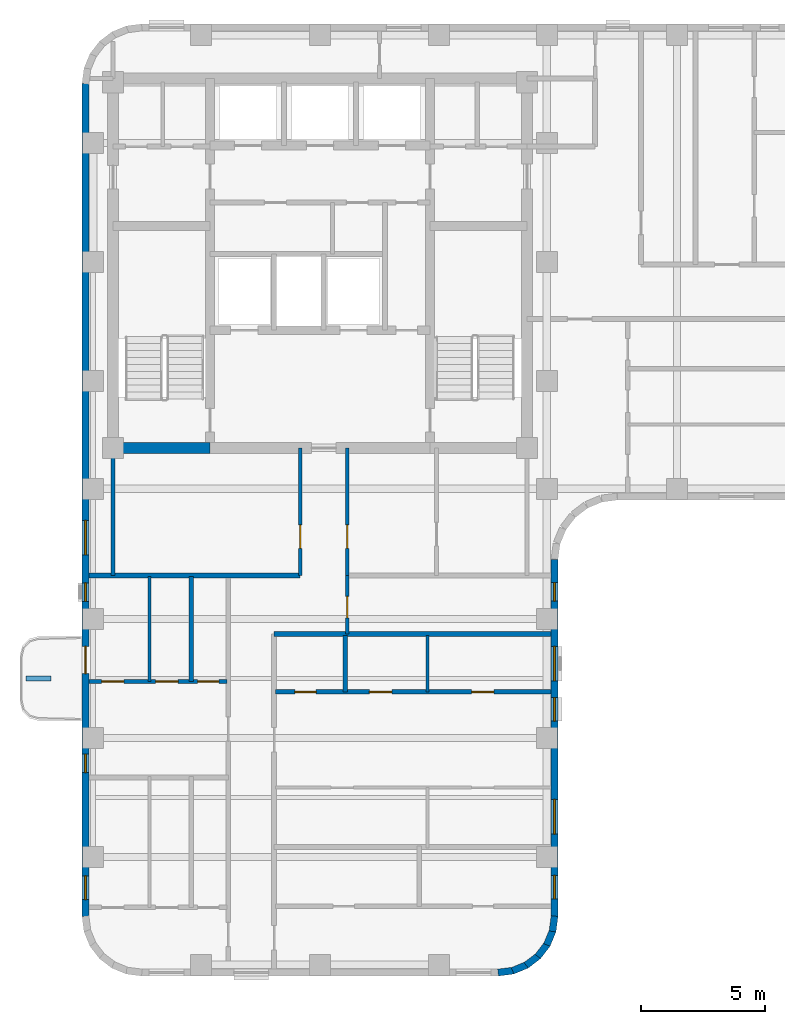
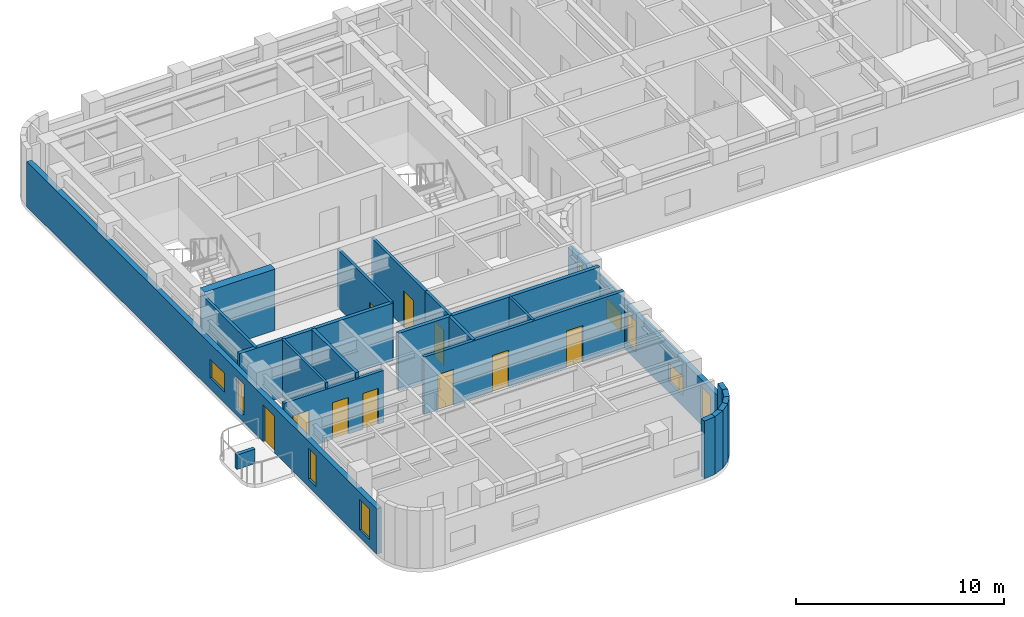
# One storey, part 3 of 10: 22 walls, 10 doors, 9 windows, 19 openings.
"""IFC4 building model written with IfcOpenShell, lengths in metres."""

from ifc_helpers import new_model, si_unit, direction, frame, frame_2d, origin, place, context, subcontext, project, spatial, rectangle, extrude, material, layer, layer_set, type_object, element, fill, save


model = new_model("IFC4")

# Units and contexts
model_context = context("Model", 3, precision=1e-05, world=origin(), true_north=direction((0.0, 1.0)))
body_context = subcontext(model_context, "Body", "Model", "MODEL_VIEW")
ifc_project = project(units=[si_unit("LENGTHUNIT", "METRE"), si_unit("AREAUNIT", "SQUARE_METRE"), si_unit("VOLUMEUNIT", "CUBIC_METRE"), si_unit("PLANEANGLEUNIT", "RADIAN"), si_unit("MASSUNIT", "GRAM", prefix="KILO")], contexts=[model_context])

# Site, building, storey
site_placement = place(None, origin())
site = spatial("IfcSite", under=ifc_project, at=site_placement, CompositionType="ELEMENT")
building_placement = place(site_placement, origin())
building = spatial("IfcBuilding", under=site, at=building_placement, Name="Orvandelia Arch Residences", CompositionType="ELEMENT")
storey_placement = place(building_placement, frame((0.0, 0.0, 218.199951171875)))
storey = spatial("IfcBuildingStorey", under=building, at=storey_placement, Name="L57", CompositionType="ELEMENT", Elevation=218.199951171875)

# Walls
ifc_material_1 = material(Name="Concrete C50/60", Category="concrete")
ifc_layer_1 = layer(ifc_material_1, 0.449951171875, Name="Concrete C50/60", Category="concrete")
ifc_layer_set_1 = layer_set([ifc_layer_1], Name="Concrete C50/60")
wall_type_1 = type_object("IfcWallType", Name="WL-CORE-450", PredefinedType="SHEAR", material=ifc_layer_set_1)
wall_1_placement = place(storey_placement, frame((6.050048828125, 30.89990234375, 0.0), z_axis=(0.0, 0.0, 1.0), x_axis=(1.0, 0.0, 0.0)))
element("IfcWall", 1, at=wall_1_placement, inside=storey, type_object=wall_type_1, Name="Core Shear Wall L57-SW", PredefinedType="SHEAR", context=body_context, shape_type="SweptSolid", body=[
    extrude(rectangle(XDim=3.909912109375, YDim=0.449951171875, at=frame_2d((1.955078125, 0.0))), origin(), (0.0, 0.0, 1.0), 3.60009765625),
])
ifc_material_2 = material(Name="Fire-Rated Corridor Partition")
ifc_layer_2 = layer(ifc_material_2, 0.199951171875, Name="Fire-Rated Corridor Partition")
ifc_layer_set_2 = layer_set([ifc_layer_2], Name="Fire-Rated Corridor Partition")
wall_type_2 = type_object("IfcWallType", Name="WL-CORR-200", PredefinedType="PARTITIONING", material=ifc_layer_set_2)
wall_2_placement = place(storey_placement, frame((12.550048828125, 23.39990234375, 0.0), z_axis=(0.0, 0.0, 1.0), x_axis=(1.0, 0.0, 0.0)))
element("IfcWall", 2, at=wall_2_placement, inside=storey, type_object=wall_type_2, Name="Interior Partition Wall WL-L57-WLNK-S", PredefinedType="PARTITIONING", context=body_context, shape_type="SweptSolid", body=[
    extrude(rectangle(XDim=11.169921875, YDim=0.199951171875, at=frame_2d((5.5849609375, 0.0))), origin(), (0.0, 0.0, 1.0), 3.380126953125),
])
wall_3_placement = place(storey_placement, frame((5.080078125, 25.75, 0.0), z_axis=(0.0, 0.0, 1.0), x_axis=(1.0, 0.0, 0.0)))
element("IfcWall", 3, at=wall_3_placement, inside=storey, type_object=wall_type_2, Name="Interior Partition Wall WL-L57-WLNK-N", PredefinedType="PARTITIONING", context=body_context, shape_type="SweptSolid", body=[
    extrude(rectangle(XDim=8.52001953125, YDim=0.199951171875, at=frame_2d((4.260009765625, 0.0))), origin(), (0.0, 0.0, 1.0), 3.380126953125),
])

# Wall, openings, windows
ifc_material_3 = material(Name="Precast concrete C40/50", Category="concrete")
ifc_layer_3 = layer(ifc_material_3, 0.280029296875, Name="Precast concrete C40/50", Category="concrete")
ifc_layer_set_3 = layer_set([ifc_layer_3], Name="Precast concrete C40/50")
wall_type_3 = type_object("IfcWallType", Name="WL-EXT-STONE-280", PredefinedType="STANDARD", material=ifc_layer_set_3)
wall_4_placement = place(storey_placement, frame((23.860107421875, 26.39990234375, 0.0), z_axis=(0.0, 0.0, 1.0), x_axis=(0.0, -1.0, 0.0)))
wall_4 = element("IfcWall", 4, at=wall_4_placement, inside=storey, type_object=wall_type_3, Name="Coral-Limestone Precast Facade Wall L57-028", PredefinedType="STANDARD", context=body_context, shape_type="SweptSolid", body=[
    extrude(rectangle(XDim=14.39990234375, YDim=0.280029296875, at=frame_2d((7.199951171875, 0.0))), origin(), (0.0, 0.0, 1.0), 2.66015625),
])
opening_1_placement = place(wall_4_placement, frame((3.5, 0.0, 0.64990234375)))
opening_1 = element("IfcOpeningElement", 5, at=opening_1_placement, cuts=wall_4, Name="Opening W10", PredefinedType="OPENING", context=body_context, shape_type="SweptSolid", body=[
    extrude(rectangle(XDim=1.39990234375, YDim=1.10009765625, at=frame_2d((0.699951171875, 0.550048828125))), frame((0.0, 0.14990234375, 0.0), z_axis=(0.0, -1.0, 0.0), x_axis=(1.0, 0.0, 0.0)), (0.0, 0.0, 1.0), 0.300048828125),
])
opening_2_placement = place(wall_4_placement, frame((9.678466796875, 0.0, 0.64990234375)))
opening_2 = element("IfcOpeningElement", 6, at=opening_2_placement, cuts=wall_4, Name="Opening W10", PredefinedType="OPENING", context=body_context, shape_type="SweptSolid", body=[
    extrude(rectangle(XDim=1.39990234375, YDim=1.10009765625, at=frame_2d((0.699951171875, 0.550048828125))), frame((0.0, 0.14990234375, 0.0), z_axis=(0.0, -1.0, 0.0), x_axis=(1.0, 0.0, 0.0)), (0.0, 0.0, 1.0), 0.300048828125),
])
opening_3_placement = place(wall_4_placement, frame((12.742431640625, 0.0, 0.449951171875)))
opening_3 = element("IfcOpeningElement", 7, at=opening_3_placement, cuts=wall_4, Name="Opening W4", PredefinedType="OPENING", context=body_context, shape_type="SweptSolid", body=[
    extrude(rectangle(XDim=0.949951171875, YDim=1.800048828125, at=frame_2d((0.47509765625, 0.89990234375))), frame((0.0, 0.14990234375, 0.0), z_axis=(0.0, -1.0, 0.0), x_axis=(1.0, 0.0, 0.0)), (0.0, 0.0, 1.0), 0.300048828125),
])
opening_4_placement = place(wall_4_placement, frame((5.572509765625, 0.0, 0.449951171875)))
opening_4 = element("IfcOpeningElement", 8, at=opening_4_placement, cuts=wall_4, Name="Opening W4", PredefinedType="OPENING", context=body_context, shape_type="SweptSolid", body=[
    extrude(rectangle(XDim=0.949951171875, YDim=1.800048828125, at=frame_2d((0.47509765625, 0.89990234375))), frame((0.0, 0.14990234375, 0.0), z_axis=(0.0, -1.0, 0.0), x_axis=(1.0, 0.0, 0.0)), (0.0, 0.0, 1.0), 0.300048828125),
])
opening_5_placement = place(wall_4_placement, frame((0.9326171875, 0.0, 0.449951171875)))
opening_5 = element("IfcOpeningElement", 9, at=opening_5_placement, cuts=wall_4, Name="Opening W11", PredefinedType="OPENING", context=body_context, shape_type="SweptSolid", body=[
    extrude(rectangle(XDim=0.75, YDim=1.800048828125, at=frame_2d((0.375, 0.89990234375))), frame((0.0, 0.14990234375, 0.0), z_axis=(0.0, -1.0, 0.0), x_axis=(1.0, 0.0, 0.0)), (0.0, 0.0, 1.0), 0.300048828125),
])
ifc_material_4 = material(Name="Tempered Low-E Insulated Glazing", Category="glass")
window_type_1 = type_object("IfcWindowType", Name="WIN-BED-0750x1800", PartitioningType="SINGLE_PANEL", PredefinedType="WINDOW", material=ifc_material_4)
window_1_placement = place(opening_5_placement, origin())
window_1 = element("IfcWindow", 10, at=window_1_placement, inside=storey, type_object=window_type_1, Name="Recessed Punched Window L57-022", OverallHeight=1.800048828125, OverallWidth=0.75, PartitioningType="SINGLE_PANEL", PredefinedType="WINDOW", context=body_context, shape_type="SweptSolid", body=[
    extrude(rectangle(XDim=0.75, YDim=1.800048828125, at=frame_2d((0.375, 0.89990234375))), frame((0.0, 0.030029296875, 0.0), z_axis=(0.0, -1.0, 0.0), x_axis=(1.0, 0.0, 0.0)), (0.0, 0.0, 1.0), 0.06005859375),
])
fill(opening_5, window_1)
window_type_2 = type_object("IfcWindowType", Name="WIN-CLR-1400x1100", PartitioningType="SINGLE_PANEL", PredefinedType="WINDOW", material=ifc_material_4)
window_2_placement = place(opening_1_placement, origin())
window_2 = element("IfcWindow", 11, at=window_2_placement, inside=storey, type_object=window_type_2, Name="Recessed Punched Window L57-018", OverallHeight=1.10009765625, OverallWidth=1.39990234375, PartitioningType="SINGLE_PANEL", PredefinedType="WINDOW", context=body_context, shape_type="SweptSolid", body=[
    extrude(rectangle(XDim=1.39990234375, YDim=1.10009765625, at=frame_2d((0.699951171875, 0.550048828125))), frame((0.0, 0.030029296875, 0.0), z_axis=(0.0, -1.0, 0.0), x_axis=(1.0, 0.0, 0.0)), (0.0, 0.0, 1.0), 0.06005859375),
])
fill(opening_1, window_2)
window_3_placement = place(opening_2_placement, origin())
window_3 = element("IfcWindow", 12, at=window_3_placement, inside=storey, type_object=window_type_2, Name="Recessed Punched Window L57-019", OverallHeight=1.10009765625, OverallWidth=1.39990234375, PartitioningType="SINGLE_PANEL", PredefinedType="WINDOW", context=body_context, shape_type="SweptSolid", body=[
    extrude(rectangle(XDim=1.39990234375, YDim=1.10009765625, at=frame_2d((0.699951171875, 0.550048828125))), frame((0.0, 0.030029296875, 0.0), z_axis=(0.0, -1.0, 0.0), x_axis=(1.0, 0.0, 0.0)), (0.0, 0.0, 1.0), 0.06005859375),
])
fill(opening_2, window_3)
window_type_3 = type_object("IfcWindowType", Name="WIN-RES-0950x1800", PartitioningType="SINGLE_PANEL", PredefinedType="WINDOW", material=ifc_material_4)
window_4_placement = place(opening_3_placement, origin())
window_4 = element("IfcWindow", 13, at=window_4_placement, inside=storey, type_object=window_type_3, Name="Recessed Punched Window L57-020", OverallHeight=1.800048828125, OverallWidth=0.949951171875, PartitioningType="SINGLE_PANEL", PredefinedType="WINDOW", context=body_context, shape_type="SweptSolid", body=[
    extrude(rectangle(XDim=0.949951171875, YDim=1.800048828125, at=frame_2d((0.47509765625, 0.89990234375))), frame((0.0, 0.030029296875, 0.0), z_axis=(0.0, -1.0, 0.0), x_axis=(1.0, 0.0, 0.0)), (0.0, 0.0, 1.0), 0.06005859375),
])
fill(opening_3, window_4)
window_5_placement = place(opening_4_placement, origin())
window_5 = element("IfcWindow", 14, at=window_5_placement, inside=storey, type_object=window_type_3, Name="Recessed Punched Window L57-021", OverallHeight=1.800048828125, OverallWidth=0.949951171875, PartitioningType="SINGLE_PANEL", PredefinedType="WINDOW", context=body_context, shape_type="SweptSolid", body=[
    extrude(rectangle(XDim=0.949951171875, YDim=1.800048828125, at=frame_2d((0.47509765625, 0.89990234375))), frame((0.0, 0.030029296875, 0.0), z_axis=(0.0, -1.0, 0.0), x_axis=(1.0, 0.0, 0.0)), (0.0, 0.0, 1.0), 0.06005859375),
])
fill(opening_4, window_5)

# Walls
for number, where, z_axis, x_axis, name in (
    (15, (23.861083984375, 12.018310546875, 0.0), (0.0, 0.0, 1.0), (-0.130555323746, -0.9914410257, 0.0), "Coral-Limestone Precast Facade Wall L57-029"),
    (16, (23.788818359375, 11.432373046875, 0.0), (0.0, 0.0, 1.0), (-0.382317370307, -0.924031075431, 0.0), "Coral-Limestone Precast Facade Wall L57-030"),
    (17, (23.5673828125, 10.88525390625, 0.0), (0.0, 0.0, 1.0), (-0.608693302629, -0.793405610854, 0.0), "Coral-Limestone Precast Facade Wall L57-031"),
    (18, (23.2119140625, 10.4140625, 0.0), (0.0, 0.0, 1.0), (-0.793405610854, -0.608693302629, 0.0), "Coral-Limestone Precast Facade Wall L57-032"),
    (19, (22.746337890625, 10.05078125, 0.0), (0.0, 0.0, 1.0), (-0.92389335771, -0.382650053678, 0.0), "Coral-Limestone Precast Facade Wall L57-033"),
    (20, (22.202880859375, 9.820556640625, 0.0), (0.0, 0.0, 1.0), (-0.9914410257, -0.130555323746, 0.0), "Coral-Limestone Precast Facade Wall L57-034"),
):
    element("IfcWall", number, at=place(storey_placement, frame(where, z_axis=z_axis, x_axis=x_axis)), inside=storey, type_object=wall_type_3, Name=name, PredefinedType="STANDARD", context=body_context, shape_type="SweptSolid", body=[
        extrude(rectangle(XDim=0.62646484375, YDim=0.280029296875, at=frame_2d((0.313232421875, 0.0))), origin(), (0.0, 0.0, 1.0), 3.380126953125),
    ])

# Wall, openings, door, windows
wall_5_placement = place(storey_placement, frame((4.93994140625, 12.0, 0.0), z_axis=(0.0, 0.0, 1.0), x_axis=(0.0, 1.0, 0.0)))
wall_5 = element("IfcWall", 21, at=wall_5_placement, inside=storey, type_object=wall_type_3, Name="Coral-Limestone Precast Facade Wall L57-042", PredefinedType="STANDARD", context=body_context, shape_type="SweptSolid", body=[
    extrude(rectangle(XDim=33.60009765625, YDim=0.280029296875, at=frame_2d((16.800048828125, 0.0))), origin(), (0.0, 0.0, 1.0), 2.66015625),
])
opening_6_placement = place(wall_5_placement, frame((9.800048828125, 0.0, 0.0)))
opening_6 = element("IfcOpeningElement", 22, at=opening_6_placement, cuts=wall_5, Name="Opening BD1", PredefinedType="OPENING", context=body_context, shape_type="SweptSolid", body=[
    extrude(rectangle(XDim=1.10009765625, YDim=2.14990234375, at=frame_2d((0.550048828125, 1.074951171875))), frame((0.0, 0.14990234375, 0.0), z_axis=(0.0, -1.0, 0.0), x_axis=(1.0, 0.0, 0.0)), (0.0, 0.0, 1.0), 0.300048828125),
])
opening_7_placement = place(wall_5_placement, frame((0.685546875, 0.0, 0.449951171875)))
opening_7 = element("IfcOpeningElement", 23, at=opening_7_placement, cuts=wall_5, Name="Opening W4", PredefinedType="OPENING", context=body_context, shape_type="SweptSolid", body=[
    extrude(rectangle(XDim=0.949951171875, YDim=1.800048828125, at=frame_2d((0.47509765625, 0.89990234375))), frame((0.0, 0.14990234375, 0.0), z_axis=(0.0, -1.0, 0.0), x_axis=(1.0, 0.0, 0.0)), (0.0, 0.0, 1.0), 0.300048828125),
])
opening_8_placement = place(wall_5_placement, frame((12.70751953125, 0.0, 0.449951171875)))
opening_8 = element("IfcOpeningElement", 24, at=opening_8_placement, cuts=wall_5, Name="Opening W11", PredefinedType="OPENING", context=body_context, shape_type="SweptSolid", body=[
    extrude(rectangle(XDim=0.75, YDim=1.800048828125, at=frame_2d((0.375, 0.89990234375))), frame((0.0, 0.14990234375, 0.0), z_axis=(0.0, -1.0, 0.0), x_axis=(1.0, 0.0, 0.0)), (0.0, 0.0, 1.0), 0.300048828125),
])
opening_9_placement = place(wall_5_placement, frame((5.802490234375, 0.0, 0.449951171875)))
opening_9 = element("IfcOpeningElement", 25, at=opening_9_placement, cuts=wall_5, Name="Opening W11", PredefinedType="OPENING", context=body_context, shape_type="SweptSolid", body=[
    extrude(rectangle(XDim=0.75, YDim=1.800048828125, at=frame_2d((0.375, 0.89990234375))), frame((0.0, 0.14990234375, 0.0), z_axis=(0.0, -1.0, 0.0), x_axis=(1.0, 0.0, 0.0)), (0.0, 0.0, 1.0), 0.300048828125),
])
opening_10_placement = place(wall_5_placement, frame((14.58251953125, 0.0, 0.64990234375)))
opening_10 = element("IfcOpeningElement", 26, at=opening_10_placement, cuts=wall_5, Name="Opening W10", PredefinedType="OPENING", context=body_context, shape_type="SweptSolid", body=[
    extrude(rectangle(XDim=1.39990234375, YDim=1.10009765625, at=frame_2d((0.699951171875, 0.550048828125))), frame((0.0, 0.14990234375, 0.0), z_axis=(0.0, -1.0, 0.0), x_axis=(1.0, 0.0, 0.0)), (0.0, 0.0, 1.0), 0.300048828125),
])
ifc_material_5 = material(Name="Thermally Broken Aluminium Glazed Door", Category="aluminium")
door_type_1 = type_object("IfcDoorType", Name="DR-BAL-GLAZ-1100", OperationType="NOTDEFINED", PredefinedType="DOOR", material=ifc_material_5)
door_1_placement = place(opening_6_placement, origin())
door_1 = element("IfcDoor", 27, at=door_1_placement, inside=storey, type_object=door_type_1, Name="Tree Balcony Glazed Door BAL-L57-W1", OperationType="SINGLE_SWING_RIGHT", OverallHeight=2.14990234375, OverallWidth=1.10009765625, PredefinedType="DOOR", context=body_context, shape_type="SweptSolid", body=[
    extrude(rectangle(XDim=1.10009765625, YDim=2.14990234375, at=frame_2d((0.550048828125, 1.074951171875))), frame((0.0, 0.02490234375, 0.0), z_axis=(0.0, -1.0, 0.0), x_axis=(1.0, 0.0, 0.0)), (0.0, 0.0, 1.0), 0.050048828125),
])
fill(opening_6, door_1)
window_6_placement = place(opening_8_placement, origin())
window_6 = element("IfcWindow", 28, at=window_6_placement, inside=storey, type_object=window_type_1, Name="Recessed Punched Window L57-027", OverallHeight=1.800048828125, OverallWidth=0.75, PartitioningType="SINGLE_PANEL", PredefinedType="WINDOW", context=body_context, shape_type="SweptSolid", body=[
    extrude(rectangle(XDim=0.75, YDim=1.800048828125, at=frame_2d((0.375, 0.89990234375))), frame((0.0, 0.030029296875, 0.0), z_axis=(0.0, -1.0, 0.0), x_axis=(1.0, 0.0, 0.0)), (0.0, 0.0, 1.0), 0.06005859375),
])
fill(opening_8, window_6)
window_7_placement = place(opening_9_placement, origin())
window_7 = element("IfcWindow", 29, at=window_7_placement, inside=storey, type_object=window_type_1, Name="Recessed Punched Window L57-028", OverallHeight=1.800048828125, OverallWidth=0.75, PartitioningType="SINGLE_PANEL", PredefinedType="WINDOW", context=body_context, shape_type="SweptSolid", body=[
    extrude(rectangle(XDim=0.75, YDim=1.800048828125, at=frame_2d((0.375, 0.89990234375))), frame((0.0, 0.030029296875, 0.0), z_axis=(0.0, -1.0, 0.0), x_axis=(1.0, 0.0, 0.0)), (0.0, 0.0, 1.0), 0.06005859375),
])
fill(opening_9, window_7)
window_8_placement = place(opening_10_placement, origin())
window_8 = element("IfcWindow", 30, at=window_8_placement, inside=storey, type_object=window_type_2, Name="Recessed Punched Window L57-029", OverallHeight=1.10009765625, OverallWidth=1.39990234375, PartitioningType="SINGLE_PANEL", PredefinedType="WINDOW", context=body_context, shape_type="SweptSolid", body=[
    extrude(rectangle(XDim=1.39990234375, YDim=1.10009765625, at=frame_2d((0.699951171875, 0.550048828125))), frame((0.0, 0.030029296875, 0.0), z_axis=(0.0, -1.0, 0.0), x_axis=(1.0, 0.0, 0.0)), (0.0, 0.0, 1.0), 0.06005859375),
])
fill(opening_10, window_8)
window_9_placement = place(opening_7_placement, origin())
window_9 = element("IfcWindow", 31, at=window_9_placement, inside=storey, type_object=window_type_3, Name="Recessed Punched Window L57-026", OverallHeight=1.800048828125, OverallWidth=0.949951171875, PartitioningType="SINGLE_PANEL", PredefinedType="WINDOW", context=body_context, shape_type="SweptSolid", body=[
    extrude(rectangle(XDim=0.949951171875, YDim=1.800048828125, at=frame_2d((0.47509765625, 0.89990234375))), frame((0.0, 0.030029296875, 0.0), z_axis=(0.0, -1.0, 0.0), x_axis=(1.0, 0.0, 0.0)), (0.0, 0.0, 1.0), 0.06005859375),
])
fill(opening_7, window_9)

# Walls
ifc_material_6 = material(Name="Lightweight Gypsum Stud Partition")
ifc_layer_4 = layer(ifc_material_6, 0.1201171875, Name="Lightweight Gypsum Stud Partition")
ifc_layer_set_4 = layer_set([ifc_layer_4], Name="Lightweight Gypsum Stud Partition")
wall_type_4 = type_object("IfcWallType", Name="WL-PART-120", PredefinedType="PARTITIONING", material=ifc_layer_set_4)
wall_6_placement = place(storey_placement, frame((7.514892578125, 21.47998046875, 0.0), z_axis=(0.0, 0.0, 1.0), x_axis=(0.0, 1.0, 0.0)))
element("IfcWall", 32, at=wall_6_placement, inside=storey, type_object=wall_type_4, Name="Interior Partition Wall WL-L57-U02-V1", PredefinedType="PARTITIONING", context=body_context, shape_type="SweptSolid", body=[
    extrude(rectangle(XDim=4.239990234375, YDim=0.1201171875, at=frame_2d((2.1201171875, 0.0))), origin(), (0.0, 0.0, 1.0), 3.380126953125),
])
wall_7_placement = place(storey_placement, frame((18.73193359375, 21.06005859375, 0.0), z_axis=(0.0, 0.0, 1.0), x_axis=(0.0, 1.0, 0.0)))
element("IfcWall", 33, at=wall_7_placement, inside=storey, type_object=wall_type_4, Name="Interior Partition Wall WL-L57-U04-V2", PredefinedType="PARTITIONING", context=body_context, shape_type="SweptSolid", body=[
    extrude(rectangle(XDim=2.280029296875, YDim=0.1201171875, at=frame_2d((1.14013671875, 0.0))), origin(), (0.0, 0.0, 1.0), 3.380126953125),
])

# Wall, opening, door
ifc_material_7 = material(Name="Acoustic Gypsum Stud Partition")
ifc_layer_5 = layer(ifc_material_7, 0.14990234375, Name="Acoustic Gypsum Stud Partition")
ifc_layer_set_5 = layer_set([ifc_layer_5], Name="Acoustic Gypsum Stud Partition")
wall_type_5 = type_object("IfcWallType", Name="WL-PART-150", PredefinedType="PARTITIONING", material=ifc_layer_set_5)
wall_8_placement = place(storey_placement, frame((13.60009765625, 25.75, 0.0), z_axis=(0.0, 0.0, 1.0), x_axis=(0.0, 1.0, 0.0)))
wall_8 = element("IfcWall", 34, at=wall_8_placement, inside=storey, type_object=wall_type_5, Name="Interior Partition Wall WL-L57-HI-W1", PredefinedType="PARTITIONING", context=body_context, shape_type="SweptSolid", body=[
    extrude(rectangle(XDim=5.14990234375, YDim=0.14990234375, at=frame_2d((2.574951171875, 0.0))), origin(), (0.0, 0.0, 1.0), 3.380126953125),
])
opening_11_placement = place(wall_8_placement, frame((1.10009765625, 0.0, 0.0)))
opening_11 = element("IfcOpeningElement", 35, at=opening_11_placement, cuts=wall_8, Name="Opening D2", PredefinedType="OPENING", context=body_context, shape_type="SweptSolid", body=[
    extrude(rectangle(XDim=0.949951171875, YDim=2.14990234375, at=frame_2d((0.47509765625, 1.074951171875))), frame((0.0, 0.0849609375, 0.0), z_axis=(0.0, -1.0, 0.0), x_axis=(1.0, 0.0, 0.0)), (0.0, 0.0, 1.0), 0.169921875),
])
ifc_material_8 = material(Name="Solid-Core Timber Interior Fire Door", Category="wood")
door_type_2 = type_object("IfcDoorType", Name="DR-APT-950", OperationType="NOTDEFINED", PredefinedType="DOOR", material=ifc_material_8)
door_2_placement = place(opening_11_placement, origin())
door_2 = element("IfcDoor", 36, at=door_2_placement, inside=storey, type_object=door_type_2, Name="DR-L57-HIR1", OperationType="SINGLE_SWING_LEFT", OverallHeight=2.14990234375, OverallWidth=0.949951171875, PredefinedType="DOOR", context=body_context, shape_type="SweptSolid", body=[
    extrude(rectangle(XDim=0.949951171875, YDim=2.14990234375, at=frame_2d((0.47509765625, 1.074951171875))), frame((0.0, 0.02490234375, 0.0), z_axis=(0.0, -1.0, 0.0), x_axis=(1.0, 0.0, 0.0)), (0.0, 0.0, 1.0), 0.050048828125),
])
fill(opening_11, door_2)

wall_9_placement = place(storey_placement, frame((15.5, 25.75, 0.0), z_axis=(0.0, 0.0, 1.0), x_axis=(0.0, 1.0, 0.0)))
wall_9 = element("IfcWall", 37, at=wall_9_placement, inside=storey, type_object=wall_type_5, Name="Interior Partition Wall WL-L57-HI-W2", PredefinedType="PARTITIONING", context=body_context, shape_type="SweptSolid", body=[
    extrude(rectangle(XDim=5.14990234375, YDim=0.14990234375, at=frame_2d((2.574951171875, 0.0))), origin(), (0.0, 0.0, 1.0), 3.380126953125),
])
opening_12_placement = place(wall_9_placement, frame((1.10009765625, 0.0, 0.0)))
opening_12 = element("IfcOpeningElement", 38, at=opening_12_placement, cuts=wall_9, Name="Opening D2", PredefinedType="OPENING", context=body_context, shape_type="SweptSolid", body=[
    extrude(rectangle(XDim=0.949951171875, YDim=2.14990234375, at=frame_2d((0.47509765625, 1.074951171875))), frame((0.0, 0.0849609375, 0.0), z_axis=(0.0, -1.0, 0.0), x_axis=(1.0, 0.0, 0.0)), (0.0, 0.0, 1.0), 0.169921875),
])
door_3_placement = place(opening_12_placement, origin())
door_3 = element("IfcDoor", 39, at=door_3_placement, inside=storey, type_object=door_type_2, Name="DR-L57-HIR2A", OperationType="SINGLE_SWING_RIGHT", OverallHeight=2.14990234375, OverallWidth=0.949951171875, PredefinedType="DOOR", context=body_context, shape_type="SweptSolid", body=[
    extrude(rectangle(XDim=0.949951171875, YDim=2.14990234375, at=frame_2d((0.47509765625, 1.074951171875))), frame((0.0, 0.02490234375, 0.0), z_axis=(0.0, -1.0, 0.0), x_axis=(1.0, 0.0, 0.0)), (0.0, 0.0, 1.0), 0.050048828125),
])
fill(opening_12, door_3)

# Wall
wall_10_placement = place(storey_placement, frame((6.050048828125, 25.75, 0.0), z_axis=(0.0, 0.0, 1.0), x_axis=(0.0, 1.0, 0.0)))
element("IfcWall", 40, at=wall_10_placement, inside=storey, type_object=wall_type_5, Name="Interior Partition Wall WL-L57-HI-WW", PredefinedType="PARTITIONING", context=body_context, shape_type="SweptSolid", body=[
    extrude(rectangle(XDim=5.14990234375, YDim=0.14990234375, at=frame_2d((2.574951171875, 0.0))), origin(), (0.0, 0.0, 1.0), 3.380126953125),
])

# Wall, opening, door
wall_11_placement = place(storey_placement, frame((15.5, 23.39990234375, 0.0), z_axis=(0.0, 0.0, 1.0), x_axis=(0.0, 1.0, 0.0)))
wall_11 = element("IfcWall", 41, at=wall_11_placement, inside=storey, type_object=wall_type_5, Name="Interior Partition Wall WL-L57-WLNK-E", PredefinedType="PARTITIONING", context=body_context, shape_type="SweptSolid", body=[
    extrude(rectangle(XDim=2.35009765625, YDim=0.14990234375, at=frame_2d((1.175048828125, 0.0))), origin(), (0.0, 0.0, 1.0), 3.380126953125),
])
opening_13_placement = place(wall_11_placement, frame((0.64990234375, 0.0, 0.0)))
opening_13 = element("IfcOpeningElement", 42, at=opening_13_placement, cuts=wall_11, Name="Opening D4", PredefinedType="OPENING", context=body_context, shape_type="SweptSolid", body=[
    extrude(rectangle(XDim=0.860107421875, YDim=2.10009765625, at=frame_2d((0.43017578125, 1.050048828125))), frame((0.0, 0.0849609375, 0.0), z_axis=(0.0, -1.0, 0.0), x_axis=(1.0, 0.0, 0.0)), (0.0, 0.0, 1.0), 0.169921875),
])
ifc_material_9 = material(Name="Moisture-Sealed Timber Bathroom Door", Category="wood")
door_type_3 = type_object("IfcDoorType", Name="DR-WET-900", OperationType="NOTDEFINED", PredefinedType="DOOR", material=ifc_material_9)
door_4_placement = place(opening_13_placement, origin())
door_4 = element("IfcDoor", 43, at=door_4_placement, inside=storey, type_object=door_type_3, Name="DR-L57-WLNKST", OperationType="SINGLE_SWING_RIGHT", OverallHeight=2.10009765625, OverallWidth=0.860107421875, PredefinedType="DOOR", context=body_context, shape_type="SweptSolid", body=[
    extrude(rectangle(XDim=0.860107421875, YDim=2.10009765625, at=frame_2d((0.43017578125, 1.050048828125))), frame((0.0, 0.02490234375, 0.0), z_axis=(0.0, -1.0, 0.0), x_axis=(1.0, 0.0, 0.0)), (0.0, 0.0, 1.0), 0.050048828125),
])
fill(opening_13, door_4)

# Wall
ifc_layer_6 = layer(ifc_material_3, 0.199951171875, Name="Precast concrete C40/50", Category="concrete")
ifc_layer_set_6 = layer_set([ifc_layer_6], Name="Precast concrete C40/50")
wall_type_6 = type_object("IfcWallType", Name="WL-PLANTER-200", PredefinedType="MOVABLE", material=ifc_layer_set_6)
wall_12_placement = place(storey_placement, frame((2.550048828125, 21.60009765625, 0.0), z_axis=(0.0, 0.0, 1.0), x_axis=(1.0, 0.0, 0.0)))
element("IfcWall", 44, at=wall_12_placement, inside=storey, type_object=wall_type_6, Name="Balcony Precast Tree Planter BAL-L57-W1", PredefinedType="MOVABLE", context=body_context, shape_type="SweptSolid", body=[
    extrude(rectangle(XDim=1.0, YDim=0.199951171875, at=frame_2d((0.5, 0.0))), origin(), (0.0, 0.0, 1.0), 0.85009765625),
])

# Wall, openings, doors
ifc_material_10 = material(Name="Moisture-Resistant Plumbing Wall")
ifc_layer_7 = layer(ifc_material_10, 0.179931640625, Name="Moisture-Resistant Plumbing Wall")
ifc_layer_set_7 = layer_set([ifc_layer_7], Name="Moisture-Resistant Plumbing Wall")
wall_type_7 = type_object("IfcWallType", Name="WL-WET-180", PredefinedType="PLUMBINGWALL", material=ifc_layer_set_7)
wall_13_placement = place(storey_placement, frame((5.080078125, 21.47998046875, 0.0), z_axis=(0.0, 0.0, 1.0), x_axis=(1.0, 0.0, 0.0)))
wall_13 = element("IfcWall", 45, at=wall_13_placement, inside=storey, type_object=wall_type_7, Name="Interior Partition Wall WL-L57-U02-HZ", PredefinedType="PLUMBINGWALL", context=body_context, shape_type="SweptSolid", body=[
    extrude(rectangle(XDim=5.559814453125, YDim=0.179931640625, at=frame_2d((2.77978515625, 0.0))), origin(), (0.0, 0.0, 1.0), 3.06005859375),
])
opening_14_placement = place(wall_13_placement, frame((0.51220703125, 0.0, 0.0)))
opening_14 = element("IfcOpeningElement", 46, at=opening_14_placement, cuts=wall_13, Name="Opening D3", PredefinedType="OPENING", context=body_context, shape_type="SweptSolid", body=[
    extrude(rectangle(XDim=0.89990234375, YDim=2.14990234375, at=frame_2d((0.449951171875, 1.074951171875))), frame((0.0, 0.10009765625, 0.0), z_axis=(0.0, -1.0, 0.0), x_axis=(1.0, 0.0, 0.0)), (0.0, 0.0, 1.0), 0.199951171875),
])
opening_15_placement = place(wall_13_placement, frame((2.695068359375, 0.0, 0.0)))
opening_15 = element("IfcOpeningElement", 47, at=opening_15_placement, cuts=wall_13, Name="Opening D3", PredefinedType="OPENING", context=body_context, shape_type="SweptSolid", body=[
    extrude(rectangle(XDim=0.89990234375, YDim=2.14990234375, at=frame_2d((0.449951171875, 1.074951171875))), frame((0.0, 0.10009765625, 0.0), z_axis=(0.0, -1.0, 0.0), x_axis=(1.0, 0.0, 0.0)), (0.0, 0.0, 1.0), 0.199951171875),
])
opening_16_placement = place(wall_13_placement, frame((4.382080078125, 0.0, 0.0)))
opening_16 = element("IfcOpeningElement", 48, at=opening_16_placement, cuts=wall_13, Name="Opening D4", PredefinedType="OPENING", context=body_context, shape_type="SweptSolid", body=[
    extrude(rectangle(XDim=0.860107421875, YDim=2.10009765625, at=frame_2d((0.43017578125, 1.050048828125))), frame((0.0, 0.10009765625, 0.0), z_axis=(0.0, -1.0, 0.0), x_axis=(1.0, 0.0, 0.0)), (0.0, 0.0, 1.0), 0.199951171875),
])
ifc_material_11 = material(Name="Engineered Timber Flush Door", Category="wood")
door_type_4 = type_object("IfcDoorType", Name="DR-INT-900", OperationType="NOTDEFINED", PredefinedType="DOOR", material=ifc_material_11)
door_5_placement = place(opening_14_placement, origin())
door_5 = element("IfcDoor", 49, at=door_5_placement, inside=storey, type_object=door_type_4, Name="DR-L57-U02-BD1", OperationType="SINGLE_SWING_RIGHT", OverallHeight=2.14990234375, OverallWidth=0.89990234375, PredefinedType="DOOR", context=body_context, shape_type="SweptSolid", body=[
    extrude(rectangle(XDim=0.89990234375, YDim=2.14990234375, at=frame_2d((0.449951171875, 1.074951171875))), frame((0.0, 0.02490234375, 0.0), z_axis=(0.0, -1.0, 0.0), x_axis=(1.0, 0.0, 0.0)), (0.0, 0.0, 1.0), 0.050048828125),
])
fill(opening_14, door_5)
door_6_placement = place(opening_15_placement, origin())
door_6 = element("IfcDoor", 50, at=door_6_placement, inside=storey, type_object=door_type_4, Name="DR-L57-U02-KIT", OperationType="SINGLE_SWING_LEFT", OverallHeight=2.14990234375, OverallWidth=0.89990234375, PredefinedType="DOOR", context=body_context, shape_type="SweptSolid", body=[
    extrude(rectangle(XDim=0.89990234375, YDim=2.14990234375, at=frame_2d((0.449951171875, 1.074951171875))), frame((0.0, 0.02490234375, 0.0), z_axis=(0.0, -1.0, 0.0), x_axis=(1.0, 0.0, 0.0)), (0.0, 0.0, 1.0), 0.050048828125),
])
fill(opening_15, door_6)
door_7_placement = place(opening_16_placement, origin())
door_7 = element("IfcDoor", 51, at=door_7_placement, inside=storey, type_object=door_type_3, Name="DR-L57-U02-BTH", OperationType="SINGLE_SWING_RIGHT", OverallHeight=2.10009765625, OverallWidth=0.860107421875, PredefinedType="DOOR", context=body_context, shape_type="SweptSolid", body=[
    extrude(rectangle(XDim=0.860107421875, YDim=2.10009765625, at=frame_2d((0.43017578125, 1.050048828125))), frame((0.0, 0.02490234375, 0.0), z_axis=(0.0, -1.0, 0.0), x_axis=(1.0, 0.0, 0.0)), (0.0, 0.0, 1.0), 0.050048828125),
])
fill(opening_16, door_7)

# Wall
wall_14_placement = place(storey_placement, frame((9.201904296875, 21.47998046875, 0.0), z_axis=(0.0, 0.0, 1.0), x_axis=(0.0, 1.0, 0.0)))
element("IfcWall", 52, at=wall_14_placement, inside=storey, type_object=wall_type_7, Name="Interior Partition Wall WL-L57-U02-V2", PredefinedType="PLUMBINGWALL", context=body_context, shape_type="SweptSolid", body=[
    extrude(rectangle(XDim=4.239990234375, YDim=0.179931640625, at=frame_2d((2.1201171875, 0.0))), origin(), (0.0, 0.0, 1.0), 3.380126953125),
])

# Wall, openings, doors
wall_15_placement = place(storey_placement, frame((12.610107421875, 21.06005859375, 0.0), z_axis=(0.0, 0.0, 1.0), x_axis=(1.0, 0.0, 0.0)))
wall_15 = element("IfcWall", 53, at=wall_15_placement, inside=storey, type_object=wall_type_7, Name="Interior Partition Wall WL-L57-U04-HZ", PredefinedType="PLUMBINGWALL", context=body_context, shape_type="SweptSolid", body=[
    extrude(rectangle(XDim=11.10986328125, YDim=0.179931640625, at=frame_2d((5.554931640625, 0.0))), origin(), (0.0, 0.0, 1.0), 3.380126953125),
])
opening_17_placement = place(wall_15_placement, frame((0.772216796875, 0.0, 0.0)))
opening_17 = element("IfcOpeningElement", 54, at=opening_17_placement, cuts=wall_15, Name="Opening D4", PredefinedType="OPENING", context=body_context, shape_type="SweptSolid", body=[
    extrude(rectangle(XDim=0.860107421875, YDim=2.10009765625, at=frame_2d((0.43017578125, 1.050048828125))), frame((0.0, 0.10009765625, 0.0), z_axis=(0.0, -1.0, 0.0), x_axis=(1.0, 0.0, 0.0)), (0.0, 0.0, 1.0), 0.199951171875),
])
opening_18_placement = place(wall_15_placement, frame((3.7861328125, 0.0, 0.0)))
opening_18 = element("IfcOpeningElement", 55, at=opening_18_placement, cuts=wall_15, Name="Opening D3", PredefinedType="OPENING", context=body_context, shape_type="SweptSolid", body=[
    extrude(rectangle(XDim=0.89990234375, YDim=2.14990234375, at=frame_2d((0.449951171875, 1.074951171875))), frame((0.0, 0.10009765625, 0.0), z_axis=(0.0, -1.0, 0.0), x_axis=(1.0, 0.0, 0.0)), (0.0, 0.0, 1.0), 0.199951171875),
])
opening_19_placement = place(wall_15_placement, frame((7.903076171875, 0.0, 0.0)))
opening_19 = element("IfcOpeningElement", 56, at=opening_19_placement, cuts=wall_15, Name="Opening D3", PredefinedType="OPENING", context=body_context, shape_type="SweptSolid", body=[
    extrude(rectangle(XDim=0.89990234375, YDim=2.14990234375, at=frame_2d((0.449951171875, 1.074951171875))), frame((0.0, 0.10009765625, 0.0), z_axis=(0.0, -1.0, 0.0), x_axis=(1.0, 0.0, 0.0)), (0.0, 0.0, 1.0), 0.199951171875),
])
door_8_placement = place(opening_18_placement, origin())
door_8 = element("IfcDoor", 57, at=door_8_placement, inside=storey, type_object=door_type_4, Name="DR-L57-U04-KIT", OperationType="SINGLE_SWING_RIGHT", OverallHeight=2.14990234375, OverallWidth=0.89990234375, PredefinedType="DOOR", context=body_context, shape_type="SweptSolid", body=[
    extrude(rectangle(XDim=0.89990234375, YDim=2.14990234375, at=frame_2d((0.449951171875, 1.074951171875))), frame((0.0, 0.02490234375, 0.0), z_axis=(0.0, -1.0, 0.0), x_axis=(1.0, 0.0, 0.0)), (0.0, 0.0, 1.0), 0.050048828125),
])
fill(opening_18, door_8)
door_9_placement = place(opening_19_placement, origin())
door_9 = element("IfcDoor", 58, at=door_9_placement, inside=storey, type_object=door_type_4, Name="DR-L57-U04-BD1", OperationType="SINGLE_SWING_LEFT", OverallHeight=2.14990234375, OverallWidth=0.89990234375, PredefinedType="DOOR", context=body_context, shape_type="SweptSolid", body=[
    extrude(rectangle(XDim=0.89990234375, YDim=2.14990234375, at=frame_2d((0.449951171875, 1.074951171875))), frame((0.0, 0.02490234375, 0.0), z_axis=(0.0, -1.0, 0.0), x_axis=(1.0, 0.0, 0.0)), (0.0, 0.0, 1.0), 0.050048828125),
])
fill(opening_19, door_9)
door_10_placement = place(opening_17_placement, origin())
door_10 = element("IfcDoor", 59, at=door_10_placement, inside=storey, type_object=door_type_3, Name="DR-L57-U04-BTH", OperationType="SINGLE_SWING_LEFT", OverallHeight=2.10009765625, OverallWidth=0.860107421875, PredefinedType="DOOR", context=body_context, shape_type="SweptSolid", body=[
    extrude(rectangle(XDim=0.860107421875, YDim=2.10009765625, at=frame_2d((0.43017578125, 1.050048828125))), frame((0.0, 0.02490234375, 0.0), z_axis=(0.0, -1.0, 0.0), x_axis=(1.0, 0.0, 0.0)), (0.0, 0.0, 1.0), 0.050048828125),
])
fill(opening_17, door_10)

# Wall
wall_16_placement = place(storey_placement, frame((15.426025390625, 21.06005859375, 0.0), z_axis=(0.0, 0.0, 1.0), x_axis=(0.0, 1.0, 0.0)))
element("IfcWall", 60, at=wall_16_placement, inside=storey, type_object=wall_type_7, Name="Interior Partition Wall WL-L57-U04-V1", PredefinedType="PLUMBINGWALL", context=body_context, shape_type="SweptSolid", body=[
    extrude(rectangle(XDim=2.280029296875, YDim=0.179931640625, at=frame_2d((1.14013671875, 0.0))), origin(), (0.0, 0.0, 1.0), 3.380126953125),
])

save(model, "model.ifc")
